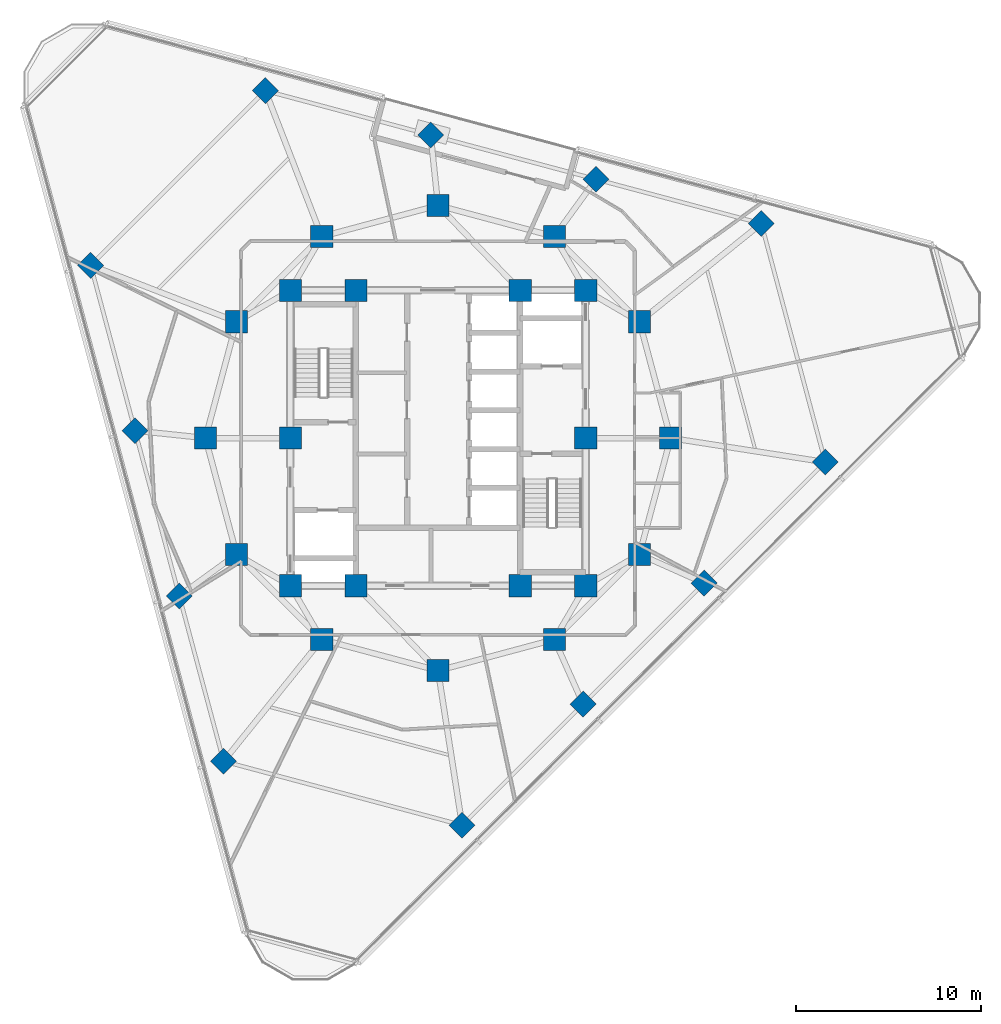
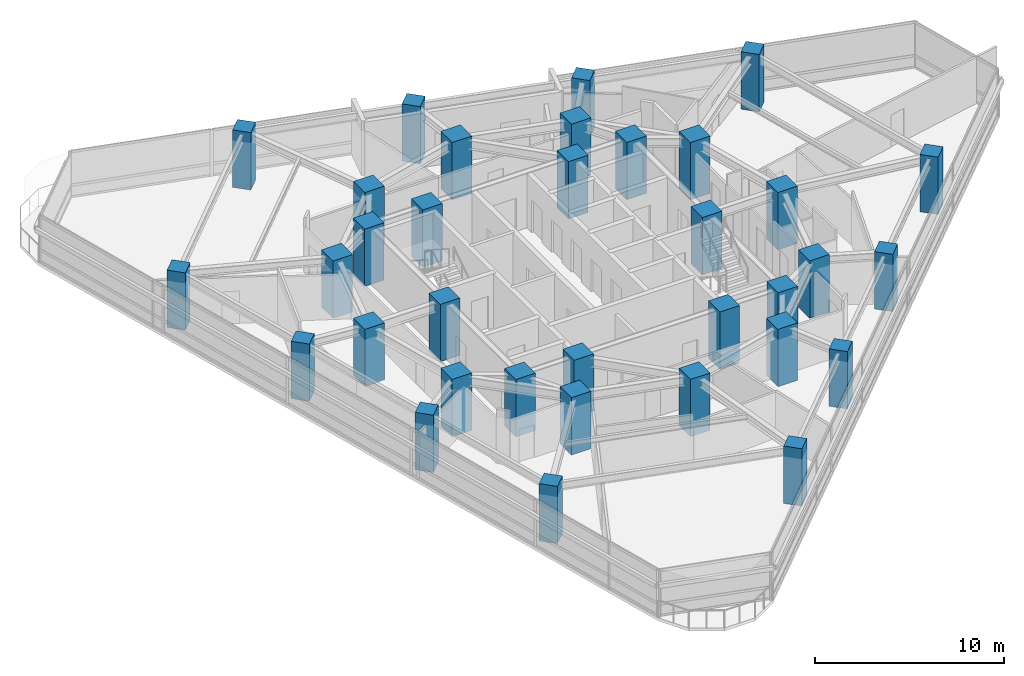
# One storey, part 1 of 14: 34 columns.
"""IFC4 building model written with IfcOpenShell, lengths in metres."""

from ifc_helpers import new_model, si_unit, direction, frame, origin, origin_2d, place, context, subcontext, project, spatial, rectangle, extrude, material, material_profile, profile_set, type_object, element, save


model = new_model("IFC4")

# Units and contexts
model_context = context("Model", 3, precision=1e-05, world=origin(), true_north=direction((0.0, 1.0)))
body_context = subcontext(model_context, "Body", "Model", "MODEL_VIEW")
ifc_project = project(units=[si_unit("LENGTHUNIT", "METRE"), si_unit("AREAUNIT", "SQUARE_METRE"), si_unit("VOLUMEUNIT", "CUBIC_METRE"), si_unit("PLANEANGLEUNIT", "RADIAN"), si_unit("MASSUNIT", "GRAM", prefix="KILO")], contexts=[model_context])

# Site, building, storey
site_placement = place(None, origin())
site = spatial("IfcSite", under=ifc_project, at=site_placement, CompositionType="ELEMENT")
building_placement = place(site_placement, origin())
building = spatial("IfcBuilding", under=site, at=building_placement, Name="Terralouvre Media Tower", CompositionType="ELEMENT")
storey_placement = place(building_placement, frame((0.0, 0.0, 191.60009765625)))
storey = spatial("IfcBuildingStorey", under=building, at=storey_placement, Name="L49", CompositionType="ELEMENT", Elevation=191.60009765625)

# Columns
ifc_material_1 = material(Name="Concrete C50/60", Category="concrete")
ifc_material_profile_1 = material_profile(ifc_material_1, rectangle(XDim=1.0, YDim=1.0, at=origin_2d()), Name="RC 1000x1000")
ifc_profile_set_1 = profile_set([ifc_material_profile_1], Name="Concrete C50/60")
column_type_1 = type_object("IfcColumnType", Name="Structural Column C-RC1000 (RC 1000x1000)", PredefinedType="COLUMN", material=ifc_profile_set_1)
for number, where, z_axis, x_axis, name in (
    (1, (1.3046875, -20.973388671875, 0.0), (0.0, 0.0, 1.0), (0.707106781187, 0.707106781187, 0.0), "L49 Perimeter Mega-Column PC11"),
    (2, (7.86083984375, -14.417236328125, 0.0), (0.0, 0.0, 1.0), (0.707106781187, 0.707106781187, 0.0), "L49 Perimeter Mega-Column PC12"),
    (3, (14.417236328125, -7.86083984375, 0.0), (0.0, 0.0, 1.0), (0.707106781187, 0.707106781187, 0.0), "L49 Perimeter Mega-Column PC13"),
    (4, (20.973388671875, -1.3046875, 0.0), (0.0, 0.0, 1.0), (0.707106781187, 0.707106781187, 0.0), "L49 Perimeter Mega-Column PC14"),
    (5, (17.51123046875, 11.616455078125, 0.0), (0.0, 0.0, 1.0), (0.707106781187, 0.707106781187, 0.0), "L49 Perimeter Mega-Column PC21"),
    (6, (8.55517578125, 14.016357421875, 0.0), (0.0, 0.0, 1.0), (0.707106781187, 0.707106781187, 0.0), "L49 Perimeter Mega-Column PC22"),
    (7, (-0.40087890625, 16.416015625, 0.0), (0.0, 0.0, 1.0), (0.707106781187, 0.707106781187, 0.0), "L49 Perimeter Mega-Column PC23"),
    (8, (-9.35693359375, 18.81591796875, 0.0), (0.0, 0.0, 1.0), (0.707106781187, 0.707106781187, 0.0), "L49 Perimeter Mega-Column PC24"),
    (9, (-18.81591796875, 9.35693359375, 0.0), (0.0, 0.0, 1.0), (0.707106781187, 0.707106781187, 0.0), "L49 Perimeter Mega-Column PC31"),
    (10, (-16.416015625, 0.40087890625, 0.0), (0.0, 0.0, 1.0), (0.707106781187, 0.707106781187, 0.0), "L49 Perimeter Mega-Column PC32"),
    (11, (-14.016357421875, -8.55517578125, 0.0), (0.0, 0.0, 1.0), (0.707106781187, 0.707106781187, 0.0), "L49 Perimeter Mega-Column PC33"),
    (12, (-11.616455078125, -17.51123046875, 0.0), (0.0, 0.0, 1.0), (0.707106781187, 0.707106781187, 0.0), "L49 Perimeter Mega-Column PC34"),
):
    element("IfcColumn", number, at=place(storey_placement, frame(where, z_axis=z_axis, x_axis=x_axis)), inside=storey, type_object=column_type_1, Name=name, PredefinedType="COLUMN", context=body_context, shape_type="SweptSolid", body=[
        extrude(rectangle(XDim=1.0, YDim=1.0, at=origin_2d()), origin(), (0.0, 0.0, 1.0), 3.699951171875),
    ])
ifc_material_2 = material(Name="Concrete C60/75", Category="concrete")
ifc_material_profile_2 = material_profile(ifc_material_2, rectangle(XDim=1.199951171875, YDim=1.199951171875, at=origin_2d()), Name="RC 1200x1200")
ifc_profile_set_2 = profile_set([ifc_material_profile_2], Name="Concrete C60/75")
column_type_2 = type_object("IfcColumnType", Name="Structural Column C-RC1200 (RC 1200x1200)", PredefinedType="COLUMN", material=ifc_profile_set_2)
for number, where, z_axis, x_axis, name in (
    (13, (-8.0, -8.0, 0.0), (0.0, 0.0, 1.0), (1.0, 0.0, 0.0), "L49 Core Pilaster Column CP1"),
    (14, (-4.449951171875, -8.0, 0.0), (0.0, 0.0, 1.0), (1.0, 0.0, 0.0), "L49 Core Pilaster Column CP2"),
    (15, (4.449951171875, -8.0, 0.0), (0.0, 0.0, 1.0), (1.0, 0.0, 0.0), "L49 Core Pilaster Column CP10"),
    (16, (8.0, -8.0, 0.0), (0.0, 0.0, 1.0), (1.0, 0.0, 0.0), "L49 Core Pilaster Column CP3"),
    (17, (8.0, 0.0, 0.0), (0.0, 0.0, 1.0), (1.0, 0.0, 0.0), "L49 Core Pilaster Column CP4"),
    (18, (8.0, 8.0, 0.0), (0.0, 0.0, 1.0), (1.0, 0.0, 0.0), "L49 Core Pilaster Column CP5"),
    (19, (4.449951171875, 8.0, 0.0), (0.0, 0.0, 1.0), (1.0, 0.0, 0.0), "L49 Core Pilaster Column CP9"),
    (20, (-4.449951171875, 8.0, 0.0), (0.0, 0.0, 1.0), (1.0, 0.0, 0.0), "L49 Core Pilaster Column CP6"),
    (21, (-8.0, 8.0, 0.0), (0.0, 0.0, 1.0), (1.0, 0.0, 0.0), "L49 Core Pilaster Column CP7"),
    (22, (-8.0, 0.0, 0.0), (0.0, 0.0, 1.0), (1.0, 0.0, 0.0), "L49 Core Pilaster Column CP8"),
    (23, (12.60009765625, 0.0, 0.0), (0.0, 0.0, 1.0), (1.0, 0.0, 0.0), "L49 Mega-Frame Column MC01"),
    (24, (10.911865234375, 6.300048828125, 0.0), (0.0, 0.0, 1.0), (1.0, 0.0, 0.0), "L49 Mega-Frame Column MC02"),
    (25, (6.300048828125, 10.911865234375, 0.0), (0.0, 0.0, 1.0), (1.0, 0.0, 0.0), "L49 Mega-Frame Column MC03"),
    (26, (0.0, 12.60009765625, 0.0), (0.0, 0.0, 1.0), (1.0, 0.0, 0.0), "L49 Mega-Frame Column MC04"),
    (27, (-6.300048828125, 10.911865234375, 0.0), (0.0, 0.0, 1.0), (1.0, 0.0, 0.0), "L49 Mega-Frame Column MC05"),
    (28, (-10.911865234375, 6.300048828125, 0.0), (0.0, 0.0, 1.0), (1.0, 0.0, 0.0), "L49 Mega-Frame Column MC06"),
    (29, (-12.60009765625, 0.0, 0.0), (0.0, 0.0, 1.0), (1.0, 0.0, 0.0), "L49 Mega-Frame Column MC07"),
    (30, (-10.911865234375, -6.300048828125, 0.0), (0.0, 0.0, 1.0), (1.0, 0.0, 0.0), "L49 Mega-Frame Column MC08"),
    (31, (-6.300048828125, -10.911865234375, 0.0), (0.0, 0.0, 1.0), (1.0, 0.0, 0.0), "L49 Mega-Frame Column MC09"),
    (32, (0.0, -12.60009765625, 0.0), (0.0, 0.0, 1.0), (1.0, 0.0, 0.0), "L49 Mega-Frame Column MC10"),
    (33, (6.300048828125, -10.911865234375, 0.0), (0.0, 0.0, 1.0), (1.0, 0.0, 0.0), "L49 Mega-Frame Column MC11"),
    (34, (10.911865234375, -6.300048828125, 0.0), (0.0, 0.0, 1.0), (1.0, 0.0, 0.0), "L49 Mega-Frame Column MC12"),
):
    element("IfcColumn", number, at=place(storey_placement, frame(where, z_axis=z_axis, x_axis=x_axis)), inside=storey, type_object=column_type_2, Name=name, PredefinedType="COLUMN", context=body_context, shape_type="SweptSolid", body=[
        extrude(rectangle(XDim=1.199951171875, YDim=1.199951171875, at=origin_2d()), origin(), (0.0, 0.0, 1.0), 3.699951171875),
    ])

save(model, "model.ifc")
